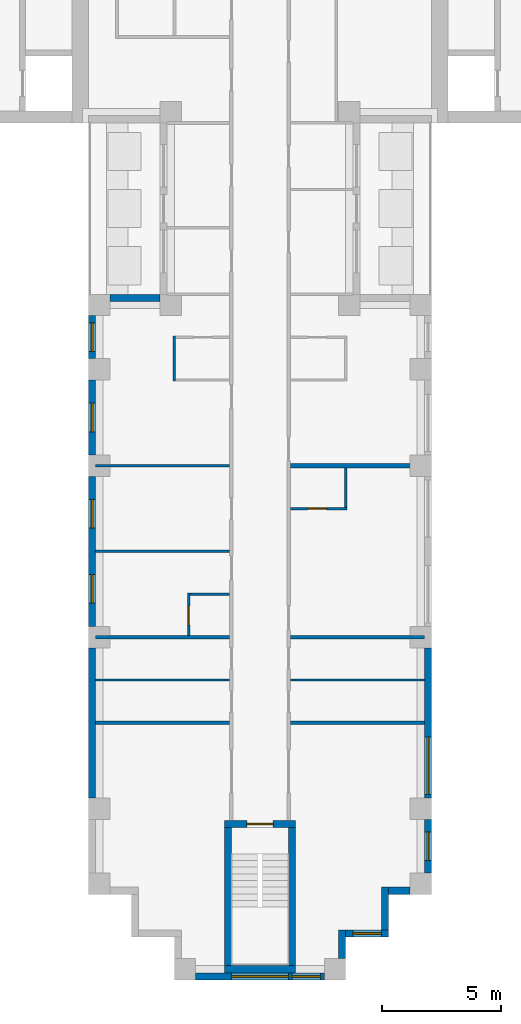
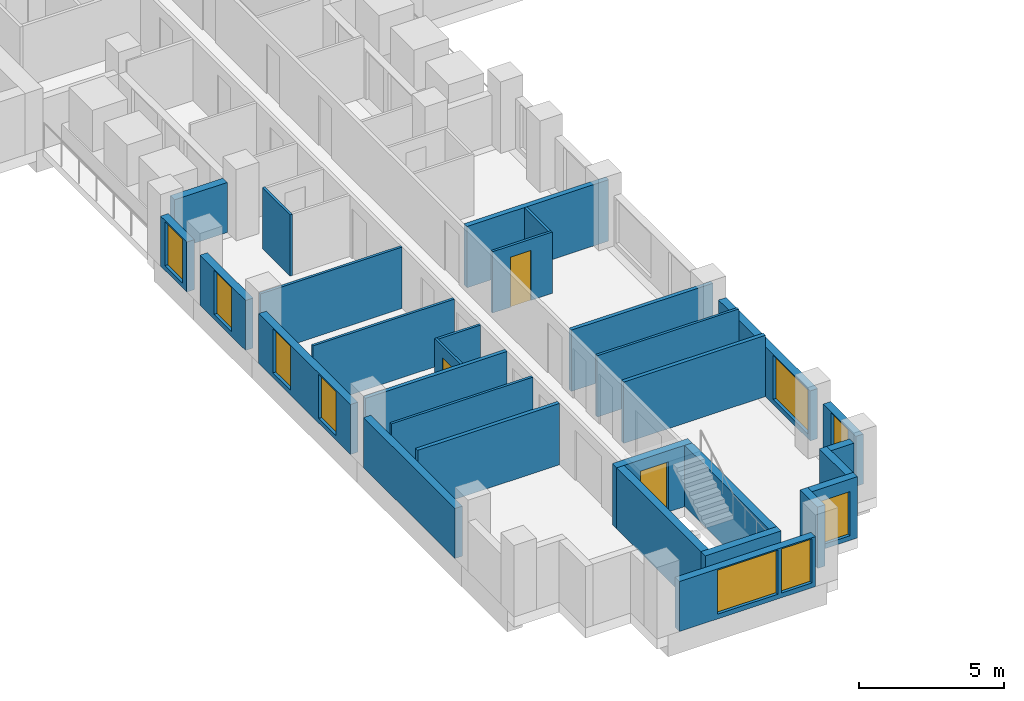
# One storey, part 3 of 15: 30 walls, 9 windows, 3 doors, 12 openings.
"""IFC4 building model written with IfcOpenShell, lengths in metres."""

import ifcopenshell
import ifcopenshell.guid

model = None  # the IFC model being written
_history = None  # IfcOwnerHistory: only IFC2X3 demands one
_inside = {}  # id of a spatial element -> (the spatial element, [elements in it])
_under = {}  # id of a project, library or spatial element -> (it, [spatial elements below it])
_declared = {}  # id of a project -> (the project, [libraries it declares])
_typed = {}  # id of a type object -> (the type object, [elements of that type])
_made_of = {}  # id of a material, layer set ... -> (it, [elements and type objects made of it])


def new_model(schema):
    """Start an empty IFC model of exactly this schema.

    Asked for "IFC4X3", IfcOpenShell would pick the latest addendum, in which some entities
    have other attributes; the version numbers below select the first issue.
    IFC2X3 requires an IfcOwnerHistory on every rooted entity: one is made here for all.
    """
    global model, _history
    if schema == "IFC4X3":
        model = ifcopenshell.file(schema_version=(4, 3, 0, 0))
    else:
        model = ifcopenshell.file(schema=schema)
    _inside.clear()
    _under.clear()
    _declared.clear()
    _typed.clear()
    _made_of.clear()
    _history = None
    if model.schema == "IFC2X3":
        org = make("IfcOrganization", Name="unknown")
        user = make(
            "IfcPersonAndOrganization",
            ThePerson=make("IfcPerson", FamilyName="unknown"),
            TheOrganization=org,
        )
        app = make(
            "IfcApplication",
            ApplicationDeveloper=org,
            Version="unknown",
            ApplicationFullName="unknown",
            ApplicationIdentifier="unknown",
        )
        _history = make(
            "IfcOwnerHistory",
            OwningUser=user,
            OwningApplication=app,
            ChangeAction="ADDED",
            CreationDate=0,
        )
    return model


def make(cls, **values):
    """One entity of the class cls with the attributes given. An attribute that is None is left unset."""
    return model.create_entity(
        cls, **{name: value for name, value in values.items() if value is not None}
    )


def rooted(cls, **values):
    """An entity with a GlobalId (a new one), such as an element, a storey or a relation."""
    return make(cls, GlobalId=ifcopenshell.guid.new(), OwnerHistory=_history, **values)


def si_unit(unit_type, name, prefix=None):
    """IfcSIUnit, for example si_unit("LENGTHUNIT", "METRE", prefix="MILLI")."""
    return make("IfcSIUnit", UnitType=unit_type, Prefix=prefix, Name=name)


def assignment(units):
    """IfcUnitAssignment: the units of a project."""
    return None if units is None else make("IfcUnitAssignment", Units=units)


def point(xyz):
    """IfcCartesianPoint."""
    return None if xyz is None else make("IfcCartesianPoint", Coordinates=xyz)


def direction(xyz):
    """IfcDirection."""
    return None if xyz is None else make("IfcDirection", DirectionRatios=xyz)


def frame(location, z_axis=None, x_axis=None):
    """IfcAxis2Placement3D, a coordinate frame: its origin and axes. An axis left out is left unset."""
    return make(
        "IfcAxis2Placement3D",
        Location=point(location),
        Axis=direction(z_axis),
        RefDirection=direction(x_axis),
    )


def frame_2d(location, x_axis=None):
    """IfcAxis2Placement2D, a coordinate frame in the plane: its origin and x axis."""
    return make(
        "IfcAxis2Placement2D", Location=point(location), RefDirection=direction(x_axis)
    )


def origin():
    """The frame at (0, 0, 0) with its axes left unset."""
    return frame((0.0, 0.0, 0.0))


def place(relative_to, where):
    """IfcLocalPlacement: puts the frame where relative to a parent placement (None: the world)."""
    return make(
        "IfcLocalPlacement", PlacementRelTo=relative_to, RelativePlacement=where
    )


def context(
    kind, dimensions, precision=None, world=None, true_north=None, identifier=None
):
    """IfcGeometricRepresentationContext, for example the 3D "Model" context."""
    return make(
        "IfcGeometricRepresentationContext",
        ContextIdentifier=identifier,
        ContextType=kind,
        CoordinateSpaceDimension=dimensions,
        Precision=precision,
        WorldCoordinateSystem=world,
        TrueNorth=true_north,
    )


def subcontext(parent, identifier, kind, view, scale=None):
    """IfcGeometricRepresentationSubContext, for example "Body" below "Model"."""
    return make(
        "IfcGeometricRepresentationSubContext",
        ContextIdentifier=identifier,
        ContextType=kind,
        ParentContext=parent,
        TargetScale=scale,
        TargetView=view,
    )


def project(units=None, contexts=None):
    """IfcProject with its units and contexts."""
    return rooted(
        "IfcProject",
        Name="project",
        RepresentationContexts=contexts,
        UnitsInContext=assignment(units),
    )


def spatial(cls, under=None, at=None, **own):
    """A site, building, storey or space (cls), placed at a placement, below another one or the project."""
    s = rooted(cls, ObjectPlacement=at, **own)
    if under is not None:
        _under.setdefault(under.id(), (under, []))[1].append(s)
    return s


def profile(cls, at=None, kind="AREA", **sizes):
    """A parametric profile (cls). Its sizes go by their IFC names, for example OverallWidth=200.0."""
    return make(cls, ProfileType=kind, Position=at, **sizes)


def rectangle(**sizes):
    """IfcRectangleProfileDef."""
    return profile("IfcRectangleProfileDef", **sizes)


def extrude(swept, where, along, depth):
    """IfcExtrudedAreaSolid: the profile swept, set in the frame where, extruded along a direction by depth."""
    return make(
        "IfcExtrudedAreaSolid",
        SweptArea=swept,
        Position=where,
        ExtrudedDirection=direction(along),
        Depth=depth,
    )


def shape(context_of_items, identifier, shape_type, items):
    """IfcShapeRepresentation: the items that make up one representation, for example the "Body"."""
    return make(
        "IfcShapeRepresentation",
        ContextOfItems=context_of_items,
        RepresentationIdentifier=identifier,
        RepresentationType=shape_type,
        Items=items,
    )


def material(Name=None, Category=None):
    """IfcMaterial."""
    return make("IfcMaterial", Name=Name, Category=Category)


def layer(
    of_material, thickness, ventilated=None, Name=None, Category=None, Priority=None
):
    """IfcMaterialLayer: one layer of a wall or slab, of a material (None: an air gap)."""
    return make(
        "IfcMaterialLayer",
        Material=of_material,
        LayerThickness=thickness,
        IsVentilated=ventilated,
        Name=Name,
        Category=Category,
        Priority=Priority,
    )


def layer_set(layers, Name=None):
    """IfcMaterialLayerSet."""
    return make("IfcMaterialLayerSet", MaterialLayers=layers, LayerSetName=Name)


def made_of(thing, what):
    """Note that an element or type object is made of a material, layer set ...; save() writes the relation."""
    if what is not None:
        _made_of.setdefault(what.id(), (what, []))[1].append(thing)
    return thing


def type_object(cls, material=None, **own):
    """A type object (cls), such as IfcWallType, which elements share."""
    return made_of(rooted(cls, **own), material)


def element(
    cls,
    number,
    at=None,
    inside=None,
    cuts=None,
    type_object=None,
    material=None,
    context=None,
    identifier="Body",
    shape_type=None,
    held_by="IfcProductDefinitionShape",
    body=None,
    shapes=None,
    **own,
):
    """One element of the class cls, such as IfcWall. Its Tag is "e" and its number.

    at: its placement. inside: the storey or other place that contains it. cuts: it is an
    opening in that element (IfcRelVoidsElement). A single representation is given by context,
    identifier, shape_type and body (its items); several are given by shapes. held_by: the class
    of the entity that holds the representations. save() writes the other relations.
    """
    e = rooted(cls, Tag="e%d" % number, ObjectPlacement=at, **own)
    if body is not None:
        shapes = [shape(context, identifier, shape_type, body)]
    if shapes is not None:
        e.Representation = make(held_by, Representations=shapes)
    if inside is not None:
        _inside.setdefault(inside.id(), (inside, []))[1].append(e)
    if cuts is not None:
        rooted(
            "IfcRelVoidsElement", RelatingBuildingElement=cuts, RelatedOpeningElement=e
        )
    if type_object is not None:
        _typed.setdefault(type_object.id(), (type_object, []))[1].append(e)
    return made_of(e, material)


def fill(opening, filler):
    """IfcRelFillsElement: the door or window that sits in an opening."""
    return rooted(
        "IfcRelFillsElement",
        RelatingOpeningElement=opening,
        RelatedBuildingElement=filler,
    )


def aggregate(whole, parts):
    """IfcRelAggregates: a whole, such as a stair, and the parts it consists of."""
    return rooted("IfcRelAggregates", RelatingObject=whole, RelatedObjects=parts)


def save(model, path):
    """Write the relations noted so far, then the file.

    IfcRelAggregates (storeys below a building ...), IfcRelContainedInSpatialStructure (elements
    in a storey), IfcRelDefinesByType, IfcRelAssociatesMaterial and IfcRelDeclares: one each for
    every whole, place, type object, material and project.
    """
    for whole, parts in _under.values():
        aggregate(whole, parts)
    for where, things in _inside.values():
        rooted(
            "IfcRelContainedInSpatialStructure",
            RelatedElements=things,
            RelatingStructure=where,
        )
    for kind, things in _typed.values():
        rooted("IfcRelDefinesByType", RelatedObjects=things, RelatingType=kind)
    for what, things in _made_of.values():
        rooted("IfcRelAssociatesMaterial", RelatedObjects=things, RelatingMaterial=what)
    for by, libraries in _declared.values():
        rooted("IfcRelDeclares", RelatingContext=by, RelatedDefinitions=libraries)
    model.write(path)


model = new_model("IFC4")

# Units and contexts
model_context = context("Model", 3, precision=1e-05, world=origin(), true_north=direction((0.0, 1.0)))
body_context = subcontext(model_context, "Body", "Model", "MODEL_VIEW")
ifc_project = project(units=[si_unit("LENGTHUNIT", "METRE"), si_unit("AREAUNIT", "SQUARE_METRE"), si_unit("VOLUMEUNIT", "CUBIC_METRE"), si_unit("PLANEANGLEUNIT", "RADIAN"), si_unit("MASSUNIT", "GRAM", prefix="KILO")], contexts=[model_context])

# Site, building, storey
site_placement = place(None, origin())
site = spatial("IfcSite", under=ifc_project, at=site_placement, CompositionType="ELEMENT")
building_placement = place(site_placement, origin())
building = spatial("IfcBuilding", under=site, at=building_placement, Name="Fustian Cross Tower", CompositionType="ELEMENT")
storey_placement = place(building_placement, frame((0.0, 0.0, 35.699951171875)))
storey = spatial("IfcBuildingStorey", under=building, at=storey_placement, Name="L10", CompositionType="ELEMENT", Elevation=35.699951171875)

# Walls
ifc_material_1 = material(Name="Plasterboard on steel stud", Category="steel")
ifc_layer_1 = layer(ifc_material_1, 0.14990234375)
ifc_layer_set_1 = layer_set([ifc_layer_1], Name="Plasterboard on steel stud")
wall_type_1 = type_object("IfcWallType", Name="COMPARTMENT WALL 150 EI 60", PredefinedType="PARTITIONING", material=ifc_layer_set_1)
for number, where, z_axis, x_axis, name in (
    (1, (-6.89990234375, -32.39990234375, 0.0), (0.0, 0.0, 1.0), (1.0, 0.0, 0.0), "Partition 14"),
    (2, (-6.89990234375, -28.800048828125, 0.0), (0.0, 0.0, 1.0), (1.0, 0.0, 0.0), "Partition 16"),
    (3, (1.27490234375, -32.39990234375, 0.0), (0.0, 0.0, 1.0), (1.0, 0.0, 0.0), "Partition 41"),
    (4, (1.27490234375, -28.800048828125, 0.0), (0.0, 0.0, 1.0), (1.0, 0.0, 0.0), "Partition 43"),
):
    element("IfcWall", number, at=place(storey_placement, frame(where, z_axis=z_axis, x_axis=x_axis)), inside=storey, type_object=wall_type_1, Name=name, PredefinedType="PARTITIONING", context=body_context, shape_type="SweptSolid", body=[
        extrude(rectangle(XDim=5.625, YDim=0.14990234375, at=frame_2d((2.8125, 0.0))), origin(), (0.0, 0.0, 1.0), 2.574951171875),
    ])
ifc_material_2 = material(Name="Plasterboard on steel stud", Category="steel")
ifc_layer_2 = layer(ifc_material_2, 0.10009765625)
ifc_layer_set_2 = layer_set([ifc_layer_2], Name="Plasterboard on steel stud")
wall_type_2 = type_object("IfcWallType", Name="PARTITION 100 STUD", PredefinedType="PARTITIONING", material=ifc_layer_set_2)
for number, where, z_axis, x_axis, name in (
    (5, (-6.89990234375, -30.60009765625, 0.0), (0.0, 0.0, 1.0), (1.0, 0.0, 0.0), "Partition 15"),
    (6, (-6.89990234375, -25.199951171875, 0.0), (0.0, 0.0, 1.0), (1.0, 0.0, 0.0), "Partition 17"),
    (7, (-6.89990234375, -21.60009765625, 0.0), (0.0, 0.0, 1.0), (1.0, 0.0, 0.0), "Partition 18"),
):
    element("IfcWall", number, at=place(storey_placement, frame(where, z_axis=z_axis, x_axis=x_axis)), inside=storey, type_object=wall_type_2, Name=name, PredefinedType="PARTITIONING", context=body_context, shape_type="SweptSolid", body=[
        extrude(rectangle(XDim=5.625, YDim=0.10009765625, at=frame_2d((2.8125, 0.0))), origin(), (0.0, 0.0, 1.0), 2.574951171875),
    ])
wall_1_placement = place(storey_placement, frame((-3.60009765625, -18.050048828125, 0.0), z_axis=(0.0, 0.0, 1.0), x_axis=(0.0, 1.0, 0.0)))
element("IfcWall", 8, at=wall_1_placement, inside=storey, type_object=wall_type_2, Name="Partition 29", PredefinedType="PARTITIONING", context=body_context, shape_type="SweptSolid", body=[
    extrude(rectangle(XDim=1.900146484375, YDim=0.10009765625, at=frame_2d((0.9501953125, 0.0))), origin(), (0.0, 0.0, 1.0), 2.574951171875),
])

# Wall, opening, door
wall_2_placement = place(storey_placement, frame((-3.0, -28.72509765625, 0.0), z_axis=(0.0, 0.0, 1.0), x_axis=(0.0, 1.0, 0.0)))
wall_2 = element("IfcWall", 9, at=wall_2_placement, inside=storey, type_object=wall_type_2, Name="Partition 36", PredefinedType="PARTITIONING", context=body_context, shape_type="SweptSolid", body=[
    extrude(rectangle(XDim=1.775146484375, YDim=0.10009765625, at=frame_2d((0.8876953125, 0.0))), origin(), (0.0, 0.0, 1.0), 2.574951171875),
])
opening_1_placement = place(wall_2_placement, frame((0.425048828125, 0.0, 0.0)))
opening_1 = element("IfcOpeningElement", 10, at=opening_1_placement, cuts=wall_2, Name="Opening D07063", PredefinedType="OPENING", context=body_context, shape_type="SweptSolid", body=[
    extrude(rectangle(XDim=0.800048828125, YDim=2.10009765625, at=frame_2d((0.39990234375, 1.050048828125))), frame((0.0, 0.06005859375, 0.0), z_axis=(0.0, -1.0, 0.0), x_axis=(1.0, 0.0, 0.0)), (0.0, 0.0, 1.0), 0.1201171875),
])
ifc_material_3 = material(Name="Painted timber", Category="wood")
door_type_1 = type_object("IfcDoorType", Name="SWING DOOR 800", OperationType="SINGLE_SWING_LEFT", PredefinedType="DOOR", material=ifc_material_3)
door_1_placement = place(opening_1_placement, frame((0.800048828125, 0.0, 0.0), z_axis=(0.0, 0.0, 1.0), x_axis=(-1.0, 0.0, 0.0)))
door_1 = element("IfcDoor", 11, at=door_1_placement, inside=storey, type_object=door_type_1, Name="Door D07063", OperationType="SINGLE_SWING_LEFT", OverallHeight=2.10009765625, OverallWidth=0.800048828125, PredefinedType="DOOR", context=body_context, shape_type="SweptSolid", body=[
    extrude(rectangle(XDim=0.800048828125, YDim=2.10009765625, at=frame_2d((0.39990234375, 1.050048828125))), frame((0.0, 0.02490234375, 0.0), z_axis=(0.0, -1.0, 0.0), x_axis=(1.0, 0.0, 0.0)), (0.0, 0.0, 1.0), 0.050048828125),
])
fill(opening_1, door_1)

# Walls
wall_3_placement = place(storey_placement, frame((-2.949951171875, -27.0, 0.0), z_axis=(0.0, 0.0, 1.0), x_axis=(1.0, 0.0, 0.0)))
element("IfcWall", 12, at=wall_3_placement, inside=storey, type_object=wall_type_2, Name="Partition 37", PredefinedType="PARTITIONING", context=body_context, shape_type="SweptSolid", body=[
    extrude(rectangle(XDim=1.675048828125, YDim=0.10009765625, at=frame_2d((0.83740234375, 0.0))), origin(), (0.0, 0.0, 1.0), 2.574951171875),
])
wall_4_placement = place(storey_placement, frame((1.27490234375, -30.60009765625, 0.0), z_axis=(0.0, 0.0, 1.0), x_axis=(1.0, 0.0, 0.0)))
element("IfcWall", 13, at=wall_4_placement, inside=storey, type_object=wall_type_2, Name="Partition 42", PredefinedType="PARTITIONING", context=body_context, shape_type="SweptSolid", body=[
    extrude(rectangle(XDim=5.625, YDim=0.10009765625, at=frame_2d((2.8125, 0.0))), origin(), (0.0, 0.0, 1.0), 2.574951171875),
])

# Wall, opening, door
wall_5_placement = place(storey_placement, frame((1.27490234375, -23.39990234375, 0.0), z_axis=(0.0, 0.0, 1.0), x_axis=(1.0, 0.0, 0.0)))
wall_5 = element("IfcWall", 14, at=wall_5_placement, inside=storey, type_object=wall_type_2, Name="Partition 44", PredefinedType="PARTITIONING", context=body_context, shape_type="SweptSolid", body=[
    extrude(rectangle(XDim=2.375, YDim=0.10009765625, at=frame_2d((1.1875, 0.0))), origin(), (0.0, 0.0, 1.0), 2.574951171875),
])
opening_2_placement = place(wall_5_placement, frame((0.72509765625, 0.0, 0.0)))
opening_2 = element("IfcOpeningElement", 15, at=opening_2_placement, cuts=wall_5, Name="Opening D07053", PredefinedType="OPENING", context=body_context, shape_type="SweptSolid", body=[
    extrude(rectangle(XDim=0.800048828125, YDim=2.10009765625, at=frame_2d((0.39990234375, 1.050048828125))), frame((0.0, 0.06005859375, 0.0), z_axis=(0.0, -1.0, 0.0), x_axis=(1.0, 0.0, 0.0)), (0.0, 0.0, 1.0), 0.1201171875),
])
door_2_placement = place(opening_2_placement, origin())
door_2 = element("IfcDoor", 16, at=door_2_placement, inside=storey, type_object=door_type_1, Name="Door D07053", OperationType="SINGLE_SWING_LEFT", OverallHeight=2.10009765625, OverallWidth=0.800048828125, PredefinedType="DOOR", context=body_context, shape_type="SweptSolid", body=[
    extrude(rectangle(XDim=0.800048828125, YDim=2.10009765625, at=frame_2d((0.39990234375, 1.050048828125))), frame((0.0, 0.02490234375, 0.0), z_axis=(0.0, -1.0, 0.0), x_axis=(1.0, 0.0, 0.0)), (0.0, 0.0, 1.0), 0.050048828125),
])
fill(opening_2, door_2)

# Walls
wall_6_placement = place(storey_placement, frame((3.60009765625, -23.35009765625, 0.0), z_axis=(0.0, 0.0, 1.0), x_axis=(0.0, 1.0, 0.0)))
element("IfcWall", 17, at=wall_6_placement, inside=storey, type_object=wall_type_2, Name="Partition 71", PredefinedType="PARTITIONING", context=body_context, shape_type="SweptSolid", body=[
    extrude(rectangle(XDim=1.650146484375, YDim=0.10009765625, at=frame_2d((0.8251953125, 0.0))), origin(), (0.0, 0.0, 1.0), 2.574951171875),
])
ifc_material_4 = material(Name="Plasterboard on steel stud", Category="steel")
ifc_layer_3 = layer(ifc_material_4, 0.199951171875)
ifc_layer_set_3 = layer_set([ifc_layer_3], Name="Plasterboard on steel stud")
wall_type_3 = type_object("IfcWallType", Name="PARTY WALL 200 EI 60", PredefinedType="PARTITIONING", material=ifc_layer_set_3)
wall_7_placement = place(storey_placement, frame((1.27490234375, -21.60009765625, 0.0), z_axis=(0.0, 0.0, 1.0), x_axis=(1.0, 0.0, 0.0)))
element("IfcWall", 18, at=wall_7_placement, inside=storey, type_object=wall_type_3, Name="Partition 45", PredefinedType="PARTITIONING", context=body_context, shape_type="SweptSolid", body=[
    extrude(rectangle(XDim=5.625, YDim=0.199951171875, at=frame_2d((2.8125, 0.0))), origin(), (0.0, 0.0, 1.0), 2.574951171875),
])

# Wall, opening, door
ifc_material_5 = material(Name="Concrete C50/60", Category="concrete")
ifc_layer_4 = layer(ifc_material_5, 0.300048828125)
ifc_layer_set_4 = layer_set([ifc_layer_4], Name="Concrete C50/60")
wall_type_4 = type_object("IfcWallType", Name="STAIR ENCLOSURE WALL 300 C50/60", PredefinedType="SHEAR", material=ifc_layer_set_4)
wall_8_placement = place(storey_placement, frame((-1.5, -36.64990234375, 0.0), z_axis=(0.0, 0.0, 1.0), x_axis=(1.0, 0.0, 0.0)))
wall_8 = element("IfcWall", 19, at=wall_8_placement, inside=storey, type_object=wall_type_4, Name="Stair enclosure wall", PredefinedType="SHEAR", context=body_context, shape_type="SweptSolid", body=[
    extrude(rectangle(XDim=3.0, YDim=0.300048828125, at=frame_2d((1.5, 0.0))), origin(), (0.0, 0.0, 1.0), 2.574951171875),
])
opening_3_placement = place(wall_8_placement, frame((0.949951171875, 0.0, 0.0)))
opening_3 = element("IfcOpeningElement", 20, at=opening_3_placement, cuts=wall_8, Name="Opening CD-04-30", PredefinedType="OPENING", context=body_context, shape_type="SweptSolid", body=[
    extrude(rectangle(XDim=1.10009765625, YDim=2.10009765625, at=frame_2d((0.550048828125, 1.050048828125))), frame((0.0, 0.159912109375, 0.0), z_axis=(0.0, -1.0, 0.0), x_axis=(1.0, 0.0, 0.0)), (0.0, 0.0, 1.0), 0.320068359375),
])
ifc_material_6 = material(Name="Steel", Category="steel")
door_type_2 = type_object("IfcDoorType", Name="FIRE DOOR FD60S 1100X2100", OperationType="SINGLE_SWING_LEFT", PredefinedType="DOOR", material=ifc_material_6)
door_3_placement = place(opening_3_placement, frame((1.10009765625, 0.0, 0.0), z_axis=(0.0, 0.0, 1.0), x_axis=(-1.0, 0.0, 0.0)))
door_3 = element("IfcDoor", 21, at=door_3_placement, inside=storey, type_object=door_type_2, Name="Core door CD-04-30", OperationType="SINGLE_SWING_RIGHT", OverallHeight=2.10009765625, OverallWidth=1.10009765625, PredefinedType="DOOR", context=body_context, shape_type="SweptSolid", body=[
    extrude(rectangle(XDim=1.10009765625, YDim=2.10009765625, at=frame_2d((0.550048828125, 1.050048828125))), frame((0.0, 0.02490234375, 0.0), z_axis=(0.0, -1.0, 0.0), x_axis=(1.0, 0.0, 0.0)), (0.0, 0.0, 1.0), 0.050048828125),
])
fill(opening_3, door_3)

# Walls
wall_9_placement = place(storey_placement, frame((-1.5, -42.75, 0.0), z_axis=(0.0, 0.0, 1.0), x_axis=(1.0, 0.0, 0.0)))
element("IfcWall", 22, at=wall_9_placement, inside=storey, type_object=wall_type_4, Name="Stair enclosure wall", PredefinedType="SHEAR", context=body_context, shape_type="SweptSolid", body=[
    extrude(rectangle(XDim=3.0, YDim=0.300048828125, at=frame_2d((1.5, 0.0))), origin(), (0.0, 0.0, 1.0), 2.574951171875),
])
for number, where, z_axis, x_axis, name in (
    (23, (-1.35009765625, -36.800048828125, 0.0), (0.0, 0.0, 1.0), (0.0, -1.0, 0.0), "Stair enclosure wall"),
    (24, (1.35009765625, -36.800048828125, 0.0), (0.0, 0.0, 1.0), (0.0, -1.0, 0.0), "Stair enclosure wall"),
):
    element("IfcWall", number, at=place(storey_placement, frame(where, z_axis=z_axis, x_axis=x_axis)), inside=storey, type_object=wall_type_4, Name=name, PredefinedType="SHEAR", context=body_context, shape_type="SweptSolid", body=[
        extrude(rectangle(XDim=5.800048828125, YDim=0.300048828125, at=frame_2d((2.89990234375, 0.0))), origin(), (0.0, 0.0, 1.0), 2.574951171875),
    ])
ifc_material_7 = material(Name="Dark aluminium cladding on insulated backing wall", Category="aluminium")
ifc_layer_5 = layer(ifc_material_7, 0.300048828125)
ifc_layer_set_5 = layer_set([ifc_layer_5], Name="Dark aluminium cladding on insulated backing wall")
wall_type_5 = type_object("IfcWallType", Name="XW1 EXTERNAL WALL 300", PredefinedType="SOLIDWALL", material=ifc_layer_set_5)
wall_10_placement = place(storey_placement, frame((-4.199951171875, -14.550048828125, 0.0), z_axis=(0.0, 0.0, 1.0), x_axis=(-1.0, 0.0, 0.0)))
element("IfcWall", 25, at=wall_10_placement, inside=storey, type_object=wall_type_5, Name="External wall", PredefinedType="SOLIDWALL", context=body_context, shape_type="SweptSolid", body=[
    extrude(rectangle(XDim=2.10009765625, YDim=0.300048828125, at=frame_2d((1.050048828125, 0.0))), origin(), (0.0, 0.0, 1.0), 2.10009765625),
])

# Wall, opening, window
wall_11_placement = place(storey_placement, frame((-7.050048828125, -15.300048828125, 0.0), z_axis=(0.0, 0.0, 1.0), x_axis=(0.0, -1.0, 0.0)))
wall_11 = element("IfcWall", 26, at=wall_11_placement, inside=storey, type_object=wall_type_5, Name="External wall", PredefinedType="SOLIDWALL", context=body_context, shape_type="SweptSolid", body=[
    extrude(rectangle(XDim=1.800048828125, YDim=0.300048828125, at=frame_2d((0.89990234375, 0.0))), origin(), (0.0, 0.0, 1.0), 2.10009765625),
])
opening_4_placement = place(wall_11_placement, frame((0.300048828125, 0.0, 0.199951171875)))
opening_4 = element("IfcOpeningElement", 27, at=opening_4_placement, cuts=wall_11, Name="Opening WN3", PredefinedType="OPENING", context=body_context, shape_type="SweptSolid", body=[
    extrude(rectangle(XDim=1.199951171875, YDim=1.85009765625, at=frame_2d((0.60009765625, 0.925048828125))), frame((0.0, 0.159912109375, 0.0), z_axis=(0.0, -1.0, 0.0), x_axis=(1.0, 0.0, 0.0)), (0.0, 0.0, 1.0), 0.320068359375),
])
ifc_material_8 = material(Name="Dark anodised aluminium and double glazing", Category="aluminium")
window_type_1 = type_object("IfcWindowType", Name="WN3 WINDOW 1200X1850", PartitioningType="SINGLE_PANEL", PredefinedType="WINDOW", material=ifc_material_8)
window_1_placement = place(opening_4_placement, origin())
window_1 = element("IfcWindow", 28, at=window_1_placement, inside=storey, type_object=window_type_1, Name="Window", OverallHeight=1.85009765625, OverallWidth=1.199951171875, PartitioningType="SINGLE_PANEL", PredefinedType="WINDOW", context=body_context, shape_type="SweptSolid", body=[
    extrude(rectangle(XDim=1.199951171875, YDim=1.85009765625, at=frame_2d((0.60009765625, 0.925048828125))), frame((0.0, 0.030029296875, 0.0), z_axis=(0.0, -1.0, 0.0), x_axis=(1.0, 0.0, 0.0)), (0.0, 0.0, 1.0), 0.06005859375),
])
fill(opening_4, window_1)

wall_12_placement = place(storey_placement, frame((-7.050048828125, -18.0, 0.0), z_axis=(0.0, 0.0, 1.0), x_axis=(0.0, -1.0, 0.0)))
wall_12 = element("IfcWall", 29, at=wall_12_placement, inside=storey, type_object=wall_type_5, Name="External wall", PredefinedType="SOLIDWALL", context=body_context, shape_type="SweptSolid", body=[
    extrude(rectangle(XDim=3.14990234375, YDim=0.300048828125, at=frame_2d((1.574951171875, 0.0))), origin(), (0.0, 0.0, 1.0), 2.10009765625),
])
opening_5_placement = place(wall_12_placement, frame((0.97509765625, 0.0, 0.199951171875)))
opening_5 = element("IfcOpeningElement", 30, at=opening_5_placement, cuts=wall_12, Name="Opening WN3", PredefinedType="OPENING", context=body_context, shape_type="SweptSolid", body=[
    extrude(rectangle(XDim=1.199951171875, YDim=1.85009765625, at=frame_2d((0.60009765625, 0.925048828125))), frame((0.0, 0.159912109375, 0.0), z_axis=(0.0, -1.0, 0.0), x_axis=(1.0, 0.0, 0.0)), (0.0, 0.0, 1.0), 0.320068359375),
])
window_2_placement = place(opening_5_placement, origin())
window_2 = element("IfcWindow", 31, at=window_2_placement, inside=storey, type_object=window_type_1, Name="Window", OverallHeight=1.85009765625, OverallWidth=1.199951171875, PartitioningType="SINGLE_PANEL", PredefinedType="WINDOW", context=body_context, shape_type="SweptSolid", body=[
    extrude(rectangle(XDim=1.199951171875, YDim=1.85009765625, at=frame_2d((0.60009765625, 0.925048828125))), frame((0.0, 0.030029296875, 0.0), z_axis=(0.0, -1.0, 0.0), x_axis=(1.0, 0.0, 0.0)), (0.0, 0.0, 1.0), 0.06005859375),
])
fill(opening_5, window_2)

# Wall, openings, windows
wall_13_placement = place(storey_placement, frame((-7.050048828125, -22.050048828125, 0.0), z_axis=(0.0, 0.0, 1.0), x_axis=(0.0, -1.0, 0.0)))
wall_13 = element("IfcWall", 32, at=wall_13_placement, inside=storey, type_object=wall_type_5, Name="External wall", PredefinedType="SOLIDWALL", context=body_context, shape_type="SweptSolid", body=[
    extrude(rectangle(XDim=6.300048828125, YDim=0.300048828125, at=frame_2d((3.14990234375, 0.0))), origin(), (0.0, 0.0, 1.0), 2.10009765625),
])
opening_6_placement = place(wall_13_placement, frame((0.97509765625, 0.0, 0.199951171875)))
opening_6 = element("IfcOpeningElement", 33, at=opening_6_placement, cuts=wall_13, Name="Opening WN3", PredefinedType="OPENING", context=body_context, shape_type="SweptSolid", body=[
    extrude(rectangle(XDim=1.199951171875, YDim=1.85009765625, at=frame_2d((0.60009765625, 0.925048828125))), frame((0.0, 0.159912109375, 0.0), z_axis=(0.0, -1.0, 0.0), x_axis=(1.0, 0.0, 0.0)), (0.0, 0.0, 1.0), 0.320068359375),
])
opening_7_placement = place(wall_13_placement, frame((4.125, 0.0, 0.199951171875)))
opening_7 = element("IfcOpeningElement", 34, at=opening_7_placement, cuts=wall_13, Name="Opening WN3", PredefinedType="OPENING", context=body_context, shape_type="SweptSolid", body=[
    extrude(rectangle(XDim=1.199951171875, YDim=1.85009765625, at=frame_2d((0.60009765625, 0.925048828125))), frame((0.0, 0.159912109375, 0.0), z_axis=(0.0, -1.0, 0.0), x_axis=(1.0, 0.0, 0.0)), (0.0, 0.0, 1.0), 0.320068359375),
])
window_3_placement = place(opening_6_placement, origin())
window_3 = element("IfcWindow", 35, at=window_3_placement, inside=storey, type_object=window_type_1, Name="Window", OverallHeight=1.85009765625, OverallWidth=1.199951171875, PartitioningType="SINGLE_PANEL", PredefinedType="WINDOW", context=body_context, shape_type="SweptSolid", body=[
    extrude(rectangle(XDim=1.199951171875, YDim=1.85009765625, at=frame_2d((0.60009765625, 0.925048828125))), frame((0.0, 0.030029296875, 0.0), z_axis=(0.0, -1.0, 0.0), x_axis=(1.0, 0.0, 0.0)), (0.0, 0.0, 1.0), 0.06005859375),
])
fill(opening_6, window_3)
window_4_placement = place(opening_7_placement, origin())
window_4 = element("IfcWindow", 36, at=window_4_placement, inside=storey, type_object=window_type_1, Name="Window", OverallHeight=1.85009765625, OverallWidth=1.199951171875, PartitioningType="SINGLE_PANEL", PredefinedType="WINDOW", context=body_context, shape_type="SweptSolid", body=[
    extrude(rectangle(XDim=1.199951171875, YDim=1.85009765625, at=frame_2d((0.60009765625, 0.925048828125))), frame((0.0, 0.030029296875, 0.0), z_axis=(0.0, -1.0, 0.0), x_axis=(1.0, 0.0, 0.0)), (0.0, 0.0, 1.0), 0.06005859375),
])
fill(opening_7, window_4)

# Wall
wall_14_placement = place(storey_placement, frame((-7.050048828125, -29.25, 0.0), z_axis=(0.0, 0.0, 1.0), x_axis=(0.0, -1.0, 0.0)))
element("IfcWall", 37, at=wall_14_placement, inside=storey, type_object=wall_type_5, Name="External wall", PredefinedType="SOLIDWALL", context=body_context, shape_type="SweptSolid", body=[
    extrude(rectangle(XDim=6.300048828125, YDim=0.300048828125, at=frame_2d((3.14990234375, 0.0))), origin(), (0.0, 0.0, 1.0), 2.10009765625),
])

# Wall, openings, windows
wall_15_placement = place(storey_placement, frame((-2.699951171875, -43.050048828125, 0.0), z_axis=(0.0, 0.0, 1.0), x_axis=(1.0, 0.0, 0.0)))
wall_15 = element("IfcWall", 38, at=wall_15_placement, inside=storey, type_object=wall_type_5, Name="External wall", PredefinedType="SOLIDWALL", context=body_context, shape_type="SweptSolid", body=[
    extrude(rectangle(XDim=5.39990234375, YDim=0.300048828125, at=frame_2d((2.699951171875, 0.0))), origin(), (0.0, 0.0, 1.0), 2.10009765625),
])
opening_8_placement = place(wall_15_placement, frame((1.5, 0.0, 0.199951171875)))
opening_8 = element("IfcOpeningElement", 39, at=opening_8_placement, cuts=wall_15, Name="Opening WN1", PredefinedType="OPENING", context=body_context, shape_type="SweptSolid", body=[
    extrude(rectangle(XDim=2.39990234375, YDim=1.85009765625, at=frame_2d((1.199951171875, 0.925048828125))), frame((0.0, 0.159912109375, 0.0), z_axis=(0.0, -1.0, 0.0), x_axis=(1.0, 0.0, 0.0)), (0.0, 0.0, 1.0), 0.320068359375),
])
opening_9_placement = place(wall_15_placement, frame((4.050048828125, 0.0, 0.199951171875)))
opening_9 = element("IfcOpeningElement", 40, at=opening_9_placement, cuts=wall_15, Name="Opening WN3", PredefinedType="OPENING", context=body_context, shape_type="SweptSolid", body=[
    extrude(rectangle(XDim=1.199951171875, YDim=1.85009765625, at=frame_2d((0.60009765625, 0.925048828125))), frame((0.0, 0.159912109375, 0.0), z_axis=(0.0, -1.0, 0.0), x_axis=(1.0, 0.0, 0.0)), (0.0, 0.0, 1.0), 0.320068359375),
])
ifc_material_9 = material(Name="Dark anodised aluminium and double glazing", Category="aluminium")
window_type_2 = type_object("IfcWindowType", Name="WN1 WINDOW 2400X1850", PartitioningType="SINGLE_PANEL", PredefinedType="WINDOW", material=ifc_material_9)
window_5_placement = place(opening_8_placement, origin())
window_5 = element("IfcWindow", 41, at=window_5_placement, inside=storey, type_object=window_type_2, Name="Window", OverallHeight=1.85009765625, OverallWidth=2.39990234375, PartitioningType="SINGLE_PANEL", PredefinedType="WINDOW", context=body_context, shape_type="SweptSolid", body=[
    extrude(rectangle(XDim=2.39990234375, YDim=1.85009765625, at=frame_2d((1.199951171875, 0.925048828125))), frame((0.0, 0.030029296875, 0.0), z_axis=(0.0, -1.0, 0.0), x_axis=(1.0, 0.0, 0.0)), (0.0, 0.0, 1.0), 0.06005859375),
])
fill(opening_8, window_5)
window_6_placement = place(opening_9_placement, origin())
window_6 = element("IfcWindow", 42, at=window_6_placement, inside=storey, type_object=window_type_1, Name="Window", OverallHeight=1.85009765625, OverallWidth=1.199951171875, PartitioningType="SINGLE_PANEL", PredefinedType="WINDOW", context=body_context, shape_type="SweptSolid", body=[
    extrude(rectangle(XDim=1.199951171875, YDim=1.85009765625, at=frame_2d((0.60009765625, 0.925048828125))), frame((0.0, 0.030029296875, 0.0), z_axis=(0.0, -1.0, 0.0), x_axis=(1.0, 0.0, 0.0)), (0.0, 0.0, 1.0), 0.06005859375),
])
fill(opening_9, window_6)

# Wall
wall_16_placement = place(storey_placement, frame((3.449951171875, -42.300048828125, 0.0), z_axis=(0.0, 0.0, 1.0), x_axis=(0.0, 1.0, 0.0)))
element("IfcWall", 43, at=wall_16_placement, inside=storey, type_object=wall_type_5, Name="External wall", PredefinedType="SOLIDWALL", context=body_context, shape_type="SweptSolid", body=[
    extrude(rectangle(XDim=1.199951171875, YDim=0.300048828125, at=frame_2d((0.60009765625, 0.0))), origin(), (0.0, 0.0, 1.0), 2.574951171875),
])

# Wall, opening, window
wall_17_placement = place(storey_placement, frame((3.60009765625, -41.25, 0.0), z_axis=(0.0, 0.0, 1.0), x_axis=(1.0, 0.0, 0.0)))
wall_17 = element("IfcWall", 44, at=wall_17_placement, inside=storey, type_object=wall_type_5, Name="External wall", PredefinedType="SOLIDWALL", context=body_context, shape_type="SweptSolid", body=[
    extrude(rectangle(XDim=1.7998046875, YDim=0.300048828125, at=frame_2d((0.89990234375, 0.0))), origin(), (0.0, 0.0, 1.0), 2.574951171875),
])
opening_10_placement = place(wall_17_placement, frame((0.300048828125, 0.0, 0.199951171875)))
opening_10 = element("IfcOpeningElement", 45, at=opening_10_placement, cuts=wall_17, Name="Opening WN3", PredefinedType="OPENING", context=body_context, shape_type="SweptSolid", body=[
    extrude(rectangle(XDim=1.199951171875, YDim=1.85009765625, at=frame_2d((0.60009765625, 0.925048828125))), frame((0.0, 0.159912109375, 0.0), z_axis=(0.0, -1.0, 0.0), x_axis=(1.0, 0.0, 0.0)), (0.0, 0.0, 1.0), 0.320068359375),
])
window_7_placement = place(opening_10_placement, origin())
window_7 = element("IfcWindow", 46, at=window_7_placement, inside=storey, type_object=window_type_1, Name="Window", OverallHeight=1.85009765625, OverallWidth=1.199951171875, PartitioningType="SINGLE_PANEL", PredefinedType="WINDOW", context=body_context, shape_type="SweptSolid", body=[
    extrude(rectangle(XDim=1.199951171875, YDim=1.85009765625, at=frame_2d((0.60009765625, 0.925048828125))), frame((0.0, 0.030029296875, 0.0), z_axis=(0.0, -1.0, 0.0), x_axis=(1.0, 0.0, 0.0)), (0.0, 0.0, 1.0), 0.06005859375),
])
fill(opening_10, window_7)

# Walls
wall_18_placement = place(storey_placement, frame((5.25, -41.10009765625, 0.0), z_axis=(0.0, 0.0, 1.0), x_axis=(0.0, 1.0, 0.0)))
element("IfcWall", 47, at=wall_18_placement, inside=storey, type_object=wall_type_5, Name="External wall", PredefinedType="SOLIDWALL", context=body_context, shape_type="SweptSolid", body=[
    extrude(rectangle(XDim=1.800048828125, YDim=0.300048828125, at=frame_2d((0.89990234375, 0.0))), origin(), (0.0, 0.0, 1.0), 2.574951171875),
])
wall_19_placement = place(storey_placement, frame((5.39990234375, -39.449951171875, 0.0), z_axis=(0.0, 0.0, 1.0), x_axis=(1.0, 0.0, 0.0)))
element("IfcWall", 48, at=wall_19_placement, inside=storey, type_object=wall_type_5, Name="External wall", PredefinedType="SOLIDWALL", context=body_context, shape_type="SweptSolid", body=[
    extrude(rectangle(XDim=0.900146484375, YDim=0.300048828125, at=frame_2d((0.4501953125, 0.0))), origin(), (0.0, 0.0, 1.0), 2.574951171875),
])

# Wall, opening, window
wall_20_placement = place(storey_placement, frame((7.050048828125, -38.699951171875, 0.0), z_axis=(0.0, 0.0, 1.0), x_axis=(0.0, 1.0, 0.0)))
wall_20 = element("IfcWall", 49, at=wall_20_placement, inside=storey, type_object=wall_type_5, Name="External wall", PredefinedType="SOLIDWALL", context=body_context, shape_type="SweptSolid", body=[
    extrude(rectangle(XDim=2.25, YDim=0.300048828125, at=frame_2d((1.125, 0.0))), origin(), (0.0, 0.0, 1.0), 2.10009765625),
])
opening_11_placement = place(wall_20_placement, frame((0.52490234375, 0.0, 0.199951171875)))
opening_11 = element("IfcOpeningElement", 50, at=opening_11_placement, cuts=wall_20, Name="Opening WN3", PredefinedType="OPENING", context=body_context, shape_type="SweptSolid", body=[
    extrude(rectangle(XDim=1.199951171875, YDim=1.85009765625, at=frame_2d((0.60009765625, 0.925048828125))), frame((0.0, 0.159912109375, 0.0), z_axis=(0.0, -1.0, 0.0), x_axis=(1.0, 0.0, 0.0)), (0.0, 0.0, 1.0), 0.320068359375),
])
window_8_placement = place(opening_11_placement, origin())
window_8 = element("IfcWindow", 51, at=window_8_placement, inside=storey, type_object=window_type_1, Name="Window", OverallHeight=1.85009765625, OverallWidth=1.199951171875, PartitioningType="SINGLE_PANEL", PredefinedType="WINDOW", context=body_context, shape_type="SweptSolid", body=[
    extrude(rectangle(XDim=1.199951171875, YDim=1.85009765625, at=frame_2d((0.60009765625, 0.925048828125))), frame((0.0, 0.030029296875, 0.0), z_axis=(0.0, -1.0, 0.0), x_axis=(1.0, 0.0, 0.0)), (0.0, 0.0, 1.0), 0.06005859375),
])
fill(opening_11, window_8)

wall_21_placement = place(storey_placement, frame((7.050048828125, -35.550048828125, 0.0), z_axis=(0.0, 0.0, 1.0), x_axis=(0.0, 1.0, 0.0)))
wall_21 = element("IfcWall", 52, at=wall_21_placement, inside=storey, type_object=wall_type_5, Name="External wall", PredefinedType="SOLIDWALL", context=body_context, shape_type="SweptSolid", body=[
    extrude(rectangle(XDim=6.300048828125, YDim=0.300048828125, at=frame_2d((3.14990234375, 0.0))), origin(), (0.0, 0.0, 1.0), 2.10009765625),
])
opening_12_placement = place(wall_21_placement, frame((0.14990234375, 0.0, 0.199951171875)))
opening_12 = element("IfcOpeningElement", 53, at=opening_12_placement, cuts=wall_21, Name="Opening WN1", PredefinedType="OPENING", context=body_context, shape_type="SweptSolid", body=[
    extrude(rectangle(XDim=2.39990234375, YDim=1.85009765625, at=frame_2d((1.199951171875, 0.925048828125))), frame((0.0, 0.159912109375, 0.0), z_axis=(0.0, -1.0, 0.0), x_axis=(1.0, 0.0, 0.0)), (0.0, 0.0, 1.0), 0.320068359375),
])
window_9_placement = place(opening_12_placement, origin())
window_9 = element("IfcWindow", 54, at=window_9_placement, inside=storey, type_object=window_type_2, Name="Window", OverallHeight=1.85009765625, OverallWidth=2.39990234375, PartitioningType="SINGLE_PANEL", PredefinedType="WINDOW", context=body_context, shape_type="SweptSolid", body=[
    extrude(rectangle(XDim=2.39990234375, YDim=1.85009765625, at=frame_2d((1.199951171875, 0.925048828125))), frame((0.0, 0.030029296875, 0.0), z_axis=(0.0, -1.0, 0.0), x_axis=(1.0, 0.0, 0.0)), (0.0, 0.0, 1.0), 0.06005859375),
])
fill(opening_12, window_9)

save(model, "model.ifc")
